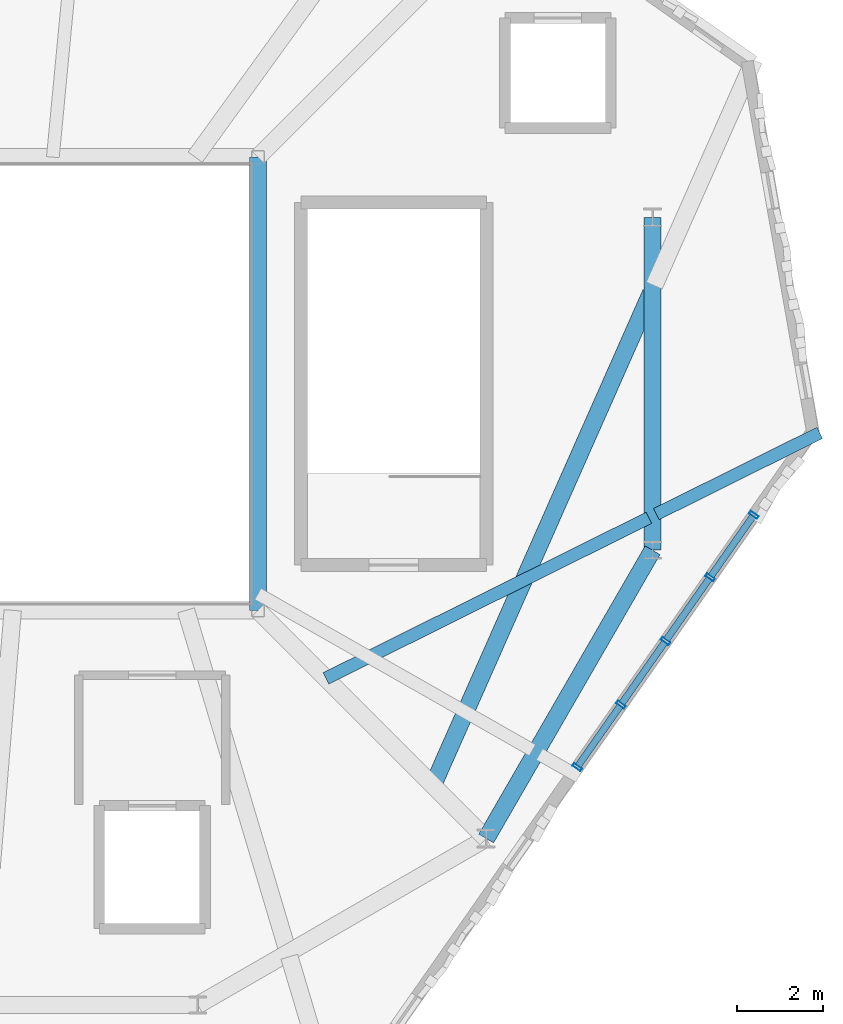
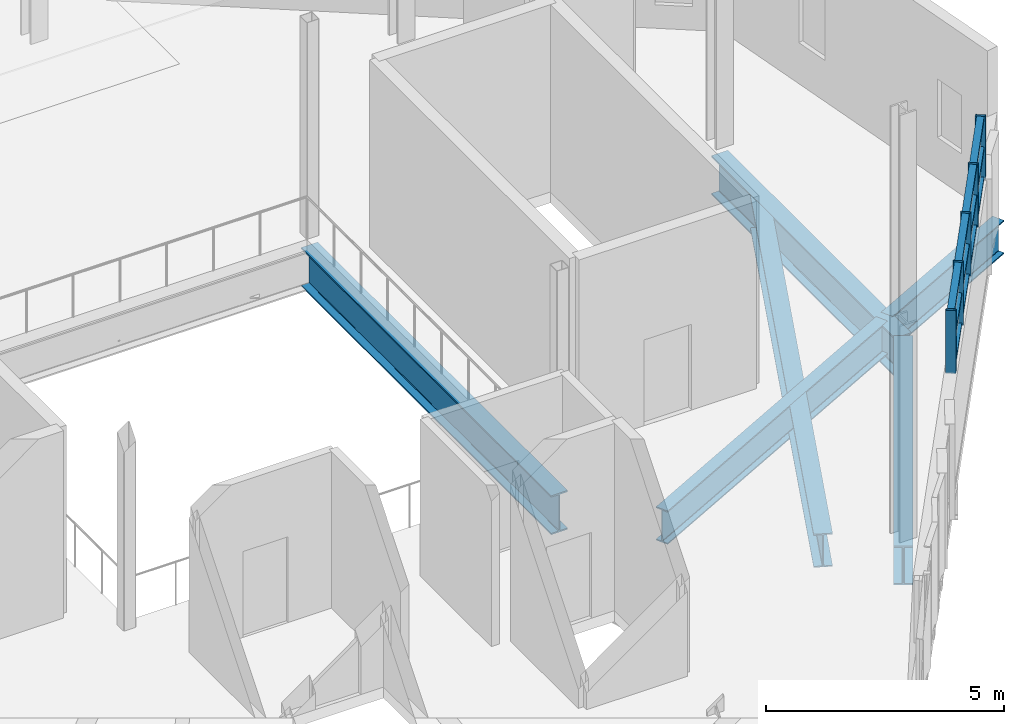
# One storey, part 9 of 36: 17 members, 6 beams, 1 element without a shape of its own.
"""IFC4 building model written with IfcOpenShell, lengths in metres."""

from ifc_helpers import new_model, si_unit, direction, frame, origin, origin_2d, place, context, subcontext, project, spatial, hollow_rectangle, i_section, extrude, material, layer, layer_set, material_profile, profile_set, type_object, element, aggregate, save


model = new_model("IFC4")

# Units and contexts
model_context = context("Model", 3, precision=1e-05, world=origin(), true_north=direction((0.0, 1.0)))
body_context = subcontext(model_context, "Body", "Model", "MODEL_VIEW")
ifc_project = project(units=[si_unit("LENGTHUNIT", "METRE"), si_unit("AREAUNIT", "SQUARE_METRE"), si_unit("VOLUMEUNIT", "CUBIC_METRE"), si_unit("PLANEANGLEUNIT", "RADIAN"), si_unit("MASSUNIT", "GRAM", prefix="KILO"), si_unit("THERMODYNAMICTEMPERATUREUNIT", "KELVIN"), si_unit("POWERUNIT", "WATT")], contexts=[model_context])

# Site, building, storey
site_placement = place(None, origin())
site = spatial("IfcSite", under=ifc_project, at=site_placement, CompositionType="ELEMENT")
building_placement = place(site_placement, origin())
building = spatial("IfcBuilding", under=site, at=building_placement, Name="Zelmaris Science Centre", CompositionType="ELEMENT")
storey_placement = place(building_placement, frame((0.0, 0.0, 25.199951171875)))
storey = spatial("IfcBuildingStorey", under=building, at=storey_placement, Name="L05", CompositionType="ELEMENT", Elevation=25.199951171875)

# Curtain wall, members
ifc_material_1 = material(Name="Anodised architectural aluminium 6063-T6", Category="aluminium")
ifc_layer = layer(ifc_material_1, 0.199951171875, Name="Anodised architectural aluminium 6063-T6")
ifc_layer_set = layer_set([ifc_layer], Name="Anodised architectural aluminium 6063-T6")
curtain_wall_type = type_object("IfcCurtainWallType", Name="Curtain Wall CW-02", PredefinedType="USERDEFINED", material=ifc_layer_set)
curtain_wall_placement = place(storey_placement, origin())
curtain_wall = element("IfcCurtainWall", 1, at=curtain_wall_placement, inside=storey, type_object=curtain_wall_type, Name="L05 Clerestory curtain wall 370", ObjectType="GLAZED CURTAIN WALL", PredefinedType="USERDEFINED")
ifc_material_profile_1 = material_profile(ifc_material_1, hollow_rectangle(XDim=0.074951171875, YDim=0.219970703125, WallThickness=0.0048828125, at=origin_2d()), Name="ALU-MUL-75X220")
ifc_profile_set_1 = profile_set([ifc_material_profile_1], Name="Anodised architectural aluminium 6063-T6")
member_type_1 = type_object("IfcMemberType", Name="ALU-MUL-75X220", PredefinedType="MULLION", material=ifc_profile_set_1)
member_1_placement = place(storey_placement, frame((97.73828125, 32.960693359375, 2.420166015625), z_axis=(0.0, 0.0, 1.0), x_axis=(-0.57357500666, -0.819153045367, 0.0)))
member_1 = element("IfcMember", 2, at=member_1_placement, type_object=member_type_1, Name="CW-02 mullion 1", PredefinedType="MULLION", context=body_context, shape_type="SweptSolid", body=[
    extrude(hollow_rectangle(XDim=0.074951171875, YDim=0.219970703125, WallThickness=0.0048828125, at=origin_2d()), origin(), (0.0, 0.0, 1.0), 1.619873046875),
])
member_2_placement = place(storey_placement, frame((96.72509765625, 31.513671875, 2.420166015625), z_axis=(0.0, 0.0, 1.0), x_axis=(-0.57357500666, -0.819153045367, 0.0)))
member_2 = element("IfcMember", 3, at=member_2_placement, type_object=member_type_1, Name="CW-02 mullion 2", PredefinedType="MULLION", context=body_context, shape_type="SweptSolid", body=[
    extrude(hollow_rectangle(XDim=0.074951171875, YDim=0.219970703125, WallThickness=0.0048828125, at=origin_2d()), origin(), (0.0, 0.0, 1.0), 1.619873046875),
])
member_3_placement = place(storey_placement, frame((95.692626953125, 30.0390625, 2.420166015625), z_axis=(0.0, 0.0, 1.0), x_axis=(-0.57357500666, -0.819153045367, 0.0)))
member_3 = element("IfcMember", 4, at=member_3_placement, type_object=member_type_1, Name="CW-02 mullion 3", PredefinedType="MULLION", context=body_context, shape_type="SweptSolid", body=[
    extrude(hollow_rectangle(XDim=0.074951171875, YDim=0.219970703125, WallThickness=0.0048828125, at=origin_2d()), origin(), (0.0, 0.0, 1.0), 1.619873046875),
])
member_4_placement = place(storey_placement, frame((94.66015625, 28.564697265625, 2.420166015625), z_axis=(0.0, 0.0, 1.0), x_axis=(-0.57357500666, -0.819153045367, 0.0)))
member_4 = element("IfcMember", 5, at=member_4_placement, type_object=member_type_1, Name="CW-02 mullion 4", PredefinedType="MULLION", context=body_context, shape_type="SweptSolid", body=[
    extrude(hollow_rectangle(XDim=0.074951171875, YDim=0.219970703125, WallThickness=0.0048828125, at=origin_2d()), origin(), (0.0, 0.0, 1.0), 1.619873046875),
])
member_5_placement = place(storey_placement, frame((93.64697265625, 27.11767578125, 2.420166015625), z_axis=(0.0, 0.0, 1.0), x_axis=(-0.57357500666, -0.819153045367, 0.0)))
member_5 = element("IfcMember", 6, at=member_5_placement, type_object=member_type_1, Name="CW-02 mullion 5", PredefinedType="MULLION", context=body_context, shape_type="SweptSolid", body=[
    extrude(hollow_rectangle(XDim=0.074951171875, YDim=0.219970703125, WallThickness=0.0048828125, at=origin_2d()), origin(), (0.0, 0.0, 1.0), 1.619873046875),
])
ifc_material_profile_2 = material_profile(ifc_material_1, hollow_rectangle(XDim=0.074951171875, YDim=0.159912109375, WallThickness=0.00390625, at=origin_2d()), Name="ALU-TRN-75X160")
ifc_profile_set_2 = profile_set([ifc_material_profile_2], Name="Anodised architectural aluminium 6063-T6")
member_type_2 = type_object("IfcMemberType", Name="ALU-TRN-75X160", PredefinedType="USERDEFINED", material=ifc_profile_set_2)
member_6_placement = place(storey_placement, frame((97.718994140625, 32.93310546875, 2.45361328125), z_axis=(-0.573520195571, -0.81919142163, 0.0), x_axis=(0.0, 0.0, 1.0)))
member_6 = element("IfcMember", 7, at=member_6_placement, type_object=member_type_2, Name="CW-02 transom 1.1", ObjectType="TRANSOM", PredefinedType="USERDEFINED", context=body_context, shape_type="SweptSolid", body=[
    extrude(hollow_rectangle(XDim=0.074951171875, YDim=0.159912109375, WallThickness=0.00390625, at=origin_2d()), origin(), (0.0, 0.0, 1.0), 1.699462890625),
])
member_7_placement = place(storey_placement, frame((97.718994140625, 32.93310546875, 3.22998046875), z_axis=(-0.573520195571, -0.81919142163, 0.0), x_axis=(0.0, 0.0, 1.0)))
member_7 = element("IfcMember", 8, at=member_7_placement, type_object=member_type_2, Name="CW-02 transom 1.2", ObjectType="TRANSOM", PredefinedType="USERDEFINED", context=body_context, shape_type="SweptSolid", body=[
    extrude(hollow_rectangle(XDim=0.074951171875, YDim=0.159912109375, WallThickness=0.00390625, at=origin_2d()), origin(), (0.0, 0.0, 1.0), 1.699462890625),
])
member_8_placement = place(storey_placement, frame((97.718994140625, 32.93310546875, 4.006591796875), z_axis=(-0.573520195571, -0.81919142163, 0.0), x_axis=(0.0, 0.0, 1.0)))
member_8 = element("IfcMember", 9, at=member_8_placement, type_object=member_type_2, Name="CW-02 transom 1.3", ObjectType="TRANSOM", PredefinedType="USERDEFINED", context=body_context, shape_type="SweptSolid", body=[
    extrude(hollow_rectangle(XDim=0.074951171875, YDim=0.159912109375, WallThickness=0.00390625, at=origin_2d()), origin(), (0.0, 0.0, 1.0), 1.699462890625),
])
member_9_placement = place(storey_placement, frame((96.705810546875, 31.486083984375, 2.45361328125), z_axis=(-0.573509617516, -0.81919882728, 0.0), x_axis=(0.0, 0.0, 1.0)))
member_9 = element("IfcMember", 10, at=member_9_placement, type_object=member_type_2, Name="CW-02 transom 2.1", ObjectType="TRANSOM", PredefinedType="USERDEFINED", context=body_context, shape_type="SweptSolid", body=[
    extrude(hollow_rectangle(XDim=0.074951171875, YDim=0.159912109375, WallThickness=0.00390625, at=origin_2d()), origin(), (0.0, 0.0, 1.0), 1.73291015625),
])
member_10_placement = place(storey_placement, frame((96.705810546875, 31.486083984375, 3.22998046875), z_axis=(-0.573509617516, -0.81919882728, 0.0), x_axis=(0.0, 0.0, 1.0)))
member_10 = element("IfcMember", 11, at=member_10_placement, type_object=member_type_2, Name="CW-02 transom 2.2", ObjectType="TRANSOM", PredefinedType="USERDEFINED", context=body_context, shape_type="SweptSolid", body=[
    extrude(hollow_rectangle(XDim=0.074951171875, YDim=0.159912109375, WallThickness=0.00390625, at=origin_2d()), origin(), (0.0, 0.0, 1.0), 1.73291015625),
])
member_11_placement = place(storey_placement, frame((96.705810546875, 31.486083984375, 4.006591796875), z_axis=(-0.573509617516, -0.81919882728, 0.0), x_axis=(0.0, 0.0, 1.0)))
member_11 = element("IfcMember", 12, at=member_11_placement, type_object=member_type_2, Name="CW-02 transom 2.3", ObjectType="TRANSOM", PredefinedType="USERDEFINED", context=body_context, shape_type="SweptSolid", body=[
    extrude(hollow_rectangle(XDim=0.074951171875, YDim=0.159912109375, WallThickness=0.00390625, at=origin_2d()), origin(), (0.0, 0.0, 1.0), 1.73291015625),
])
member_12_placement = place(storey_placement, frame((95.67333984375, 30.01171875, 2.45361328125), z_axis=(-0.573509617516, -0.81919882728, 0.0), x_axis=(0.0, 0.0, 1.0)))
member_12 = element("IfcMember", 13, at=member_12_placement, type_object=member_type_2, Name="CW-02 transom 3.1", ObjectType="TRANSOM", PredefinedType="USERDEFINED", context=body_context, shape_type="SweptSolid", body=[
    extrude(hollow_rectangle(XDim=0.074951171875, YDim=0.159912109375, WallThickness=0.00390625, at=origin_2d()), origin(), (0.0, 0.0, 1.0), 1.73291015625),
])
member_13_placement = place(storey_placement, frame((95.67333984375, 30.01171875, 3.22998046875), z_axis=(-0.573509617516, -0.81919882728, 0.0), x_axis=(0.0, 0.0, 1.0)))
member_13 = element("IfcMember", 14, at=member_13_placement, type_object=member_type_2, Name="CW-02 transom 3.2", ObjectType="TRANSOM", PredefinedType="USERDEFINED", context=body_context, shape_type="SweptSolid", body=[
    extrude(hollow_rectangle(XDim=0.074951171875, YDim=0.159912109375, WallThickness=0.00390625, at=origin_2d()), origin(), (0.0, 0.0, 1.0), 1.73291015625),
])
member_14_placement = place(storey_placement, frame((95.67333984375, 30.01171875, 4.006591796875), z_axis=(-0.573509617516, -0.81919882728, 0.0), x_axis=(0.0, 0.0, 1.0)))
member_14 = element("IfcMember", 15, at=member_14_placement, type_object=member_type_2, Name="CW-02 transom 3.3", ObjectType="TRANSOM", PredefinedType="USERDEFINED", context=body_context, shape_type="SweptSolid", body=[
    extrude(hollow_rectangle(XDim=0.074951171875, YDim=0.159912109375, WallThickness=0.00390625, at=origin_2d()), origin(), (0.0, 0.0, 1.0), 1.73291015625),
])
member_15_placement = place(storey_placement, frame((94.64111328125, 28.537109375, 2.45361328125), z_axis=(-0.573616595186, -0.819123923303, 0.0), x_axis=(0.0, 0.0, 1.0)))
member_15 = element("IfcMember", 16, at=member_15_placement, type_object=member_type_2, Name="CW-02 transom 4.1", ObjectType="TRANSOM", PredefinedType="USERDEFINED", context=body_context, shape_type="SweptSolid", body=[
    extrude(hollow_rectangle(XDim=0.074951171875, YDim=0.159912109375, WallThickness=0.00390625, at=origin_2d()), origin(), (0.0, 0.0, 1.0), 1.699462890625),
])
member_16_placement = place(storey_placement, frame((94.64111328125, 28.537109375, 3.22998046875), z_axis=(-0.573616595186, -0.819123923303, 0.0), x_axis=(0.0, 0.0, 1.0)))
member_16 = element("IfcMember", 17, at=member_16_placement, type_object=member_type_2, Name="CW-02 transom 4.2", ObjectType="TRANSOM", PredefinedType="USERDEFINED", context=body_context, shape_type="SweptSolid", body=[
    extrude(hollow_rectangle(XDim=0.074951171875, YDim=0.159912109375, WallThickness=0.00390625, at=origin_2d()), origin(), (0.0, 0.0, 1.0), 1.699462890625),
])
member_17_placement = place(storey_placement, frame((94.64111328125, 28.537109375, 4.006591796875), z_axis=(-0.573616595186, -0.819123923303, 0.0), x_axis=(0.0, 0.0, 1.0)))
member_17 = element("IfcMember", 18, at=member_17_placement, type_object=member_type_2, Name="CW-02 transom 4.3", ObjectType="TRANSOM", PredefinedType="USERDEFINED", context=body_context, shape_type="SweptSolid", body=[
    extrude(hollow_rectangle(XDim=0.074951171875, YDim=0.159912109375, WallThickness=0.00390625, at=origin_2d()), origin(), (0.0, 0.0, 1.0), 1.699462890625),
])
aggregate(curtain_wall, [member_1, member_2, member_3, member_4, member_5, member_6, member_7, member_8, member_9, member_10, member_11, member_12, member_13, member_14, member_15, member_16, member_17])

# Beams
ifc_material_2 = material(Name="Steel ASTM A992 Grade 50", Category="steel")
ifc_material_profile_3 = material_profile(ifc_material_2, i_section(OverallWidth=0.40087890625, OverallDepth=0.85595703125, WebThickness=0.018310546875, FlangeThickness=0.029296875, FilletRadius=0.02001953125, at=origin_2d()), Name="W33X201")
ifc_profile_set_3 = profile_set([ifc_material_profile_3], Name="Steel ASTM A992 Grade 50")
beam_type_1 = type_object("IfcBeamType", Name="Beam G-05 W33X201", PredefinedType="BEAM", material=ifc_profile_set_3)
beam_1_placement = place(storey_placement, frame((90.3046875, 26.6953125, -0.7080078125), z_axis=(0.404803188778, 0.914403837675, 0.0), x_axis=(-0.914403837675, 0.404803188778, 0.0)))
element("IfcBeam", 19, at=beam_1_placement, inside=storey, type_object=beam_type_1, Name="L05 Overhang back-span girder 4", PredefinedType="BEAM", context=body_context, shape_type="SweptSolid", body=[
    extrude(i_section(OverallWidth=0.40087890625, OverallDepth=0.85595703125, WebThickness=0.018310546875, FlangeThickness=0.029296875, FilletRadius=0.02001953125, at=origin_2d()), origin(), (0.0, 0.0, 1.0), 12.472900390625),
])
ifc_material_profile_4 = material_profile(ifc_material_2, i_section(OverallWidth=0.40087890625, OverallDepth=1.0009765625, WebThickness=0.01904296875, FlangeThickness=0.0361328125, FilletRadius=0.02490234375, at=origin_2d()), Name="W40X249")
ifc_profile_set_4 = profile_set([ifc_material_profile_4], Name="Steel ASTM A992 Grade 50")
beam_type_2 = type_object("IfcBeamType", Name="Beam G-22 W40X249", PredefinedType="BEAM", material=ifc_profile_set_4)
for number, where, z_axis, x_axis, name in (
    (20, (91.535888671875, 25.464111328125, -0.780517578125), (0.500006504531, 0.866021648359, 0.0), (-0.866021648359, 0.500006504531, 0.0), "L05 Exhibition inner ring girder 11"),
    (21, (95.392333984375, 32.1435546875, -0.780517578125), (0.0, 1.0, 0.0), (-1.0, 0.0, 0.0), "L05 Exhibition inner ring girder 12"),
):
    element("IfcBeam", number, at=place(storey_placement, frame(where, z_axis=z_axis, x_axis=x_axis)), inside=storey, type_object=beam_type_2, Name=name, PredefinedType="BEAM", context=body_context, shape_type="SweptSolid", body=[
        extrude(i_section(OverallWidth=0.40087890625, OverallDepth=1.0009765625, WebThickness=0.01904296875, FlangeThickness=0.0361328125, FilletRadius=0.02490234375, at=origin_2d()), origin(), (0.0, 0.0, 1.0), 7.712890625),
    ])
beam_2_placement = place(storey_placement, frame((86.25, 30.75, -0.780517578125), z_axis=(0.0, 1.0, 0.0), x_axis=(-1.0, 0.0, 0.0)))
element("IfcBeam", 22, at=beam_2_placement, inside=storey, type_object=beam_type_2, Name="L05 Atrium framing girder 2", PredefinedType="BEAM", context=body_context, shape_type="SweptSolid", body=[
    extrude(i_section(OverallWidth=0.40087890625, OverallDepth=1.0009765625, WebThickness=0.01904296875, FlangeThickness=0.0361328125, FilletRadius=0.02490234375, at=origin_2d()), origin(), (0.0, 0.0, 1.0), 10.5),
])
ifc_material_profile_5 = material_profile(ifc_material_2, i_section(OverallWidth=0.2919921875, OverallDepth=0.85888671875, WebThickness=0.01708984375, FlangeThickness=0.031005859375, FilletRadius=0.02001953125, at=origin_2d()), Name="W33X169")
ifc_profile_set_5 = profile_set([ifc_material_profile_5], Name="Steel ASTM A992 Grade 50")
beam_type_3 = type_object("IfcBeamType", Name="Beam G-29 W33X169", PredefinedType="BEAM", material=ifc_profile_set_5)
beam_3_placement = place(storey_placement, frame((87.825439453125, 29.174560546875, -0.70947265625), z_axis=(0.895435905053, 0.445190453561, 0.0), x_axis=(-0.445190453561, 0.895435905053, 0.0)))
element("IfcBeam", 23, at=beam_3_placement, inside=storey, type_object=beam_type_3, Name="L05 Overhang back-span girder 3", PredefinedType="BEAM", context=body_context, shape_type="SweptSolid", body=[
    extrude(i_section(OverallWidth=0.2919921875, OverallDepth=0.85888671875, WebThickness=0.01708984375, FlangeThickness=0.031005859375, FilletRadius=0.02001953125, at=origin_2d()), origin(), (0.0, 0.0, 1.0), 8.35546875),
])
beam_4_placement = place(storey_placement, frame((95.477294921875, 32.97900390625, -0.70947265625), z_axis=(0.895429155632, 0.445204028782, 0.0), x_axis=(-0.445204028782, 0.895429155632, 0.0)))
element("IfcBeam", 24, at=beam_4_placement, inside=storey, type_object=beam_type_3, Name="L05 Radial overhang girder 3", PredefinedType="BEAM", context=body_context, shape_type="SweptSolid", body=[
    extrude(i_section(OverallWidth=0.2919921875, OverallDepth=0.85888671875, WebThickness=0.01708984375, FlangeThickness=0.031005859375, FilletRadius=0.02001953125, at=origin_2d()), origin(), (0.0, 0.0, 1.0), 4.230224609375),
])

save(model, "model.ifc")
